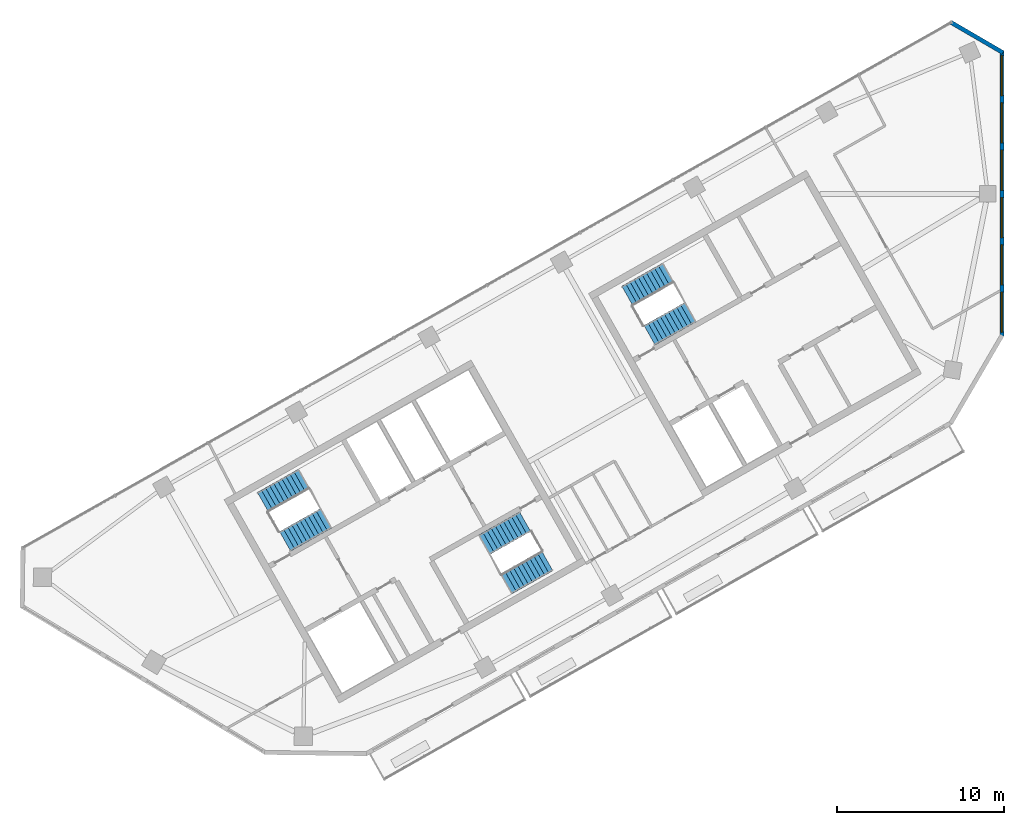
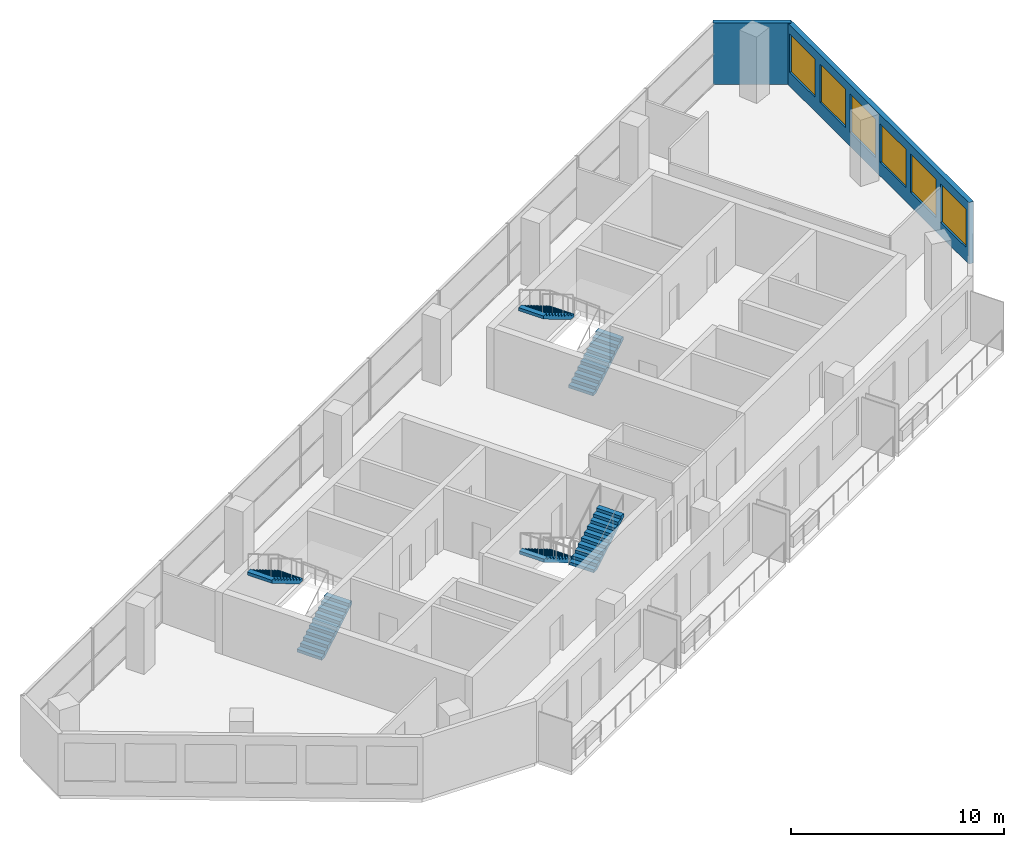
# One storey, part 8 of 10: 6 stair flights, 6 windows, 2 walls, 6 openings, 3 elements without a shape of their own.
"""IFC4 building model written with IfcOpenShell, lengths in metres."""

import ifcopenshell
import ifcopenshell.guid

model = None  # the IFC model being written
_history = None  # IfcOwnerHistory: only IFC2X3 demands one
_inside = {}  # id of a spatial element -> (the spatial element, [elements in it])
_under = {}  # id of a project, library or spatial element -> (it, [spatial elements below it])
_declared = {}  # id of a project -> (the project, [libraries it declares])
_typed = {}  # id of a type object -> (the type object, [elements of that type])
_made_of = {}  # id of a material, layer set ... -> (it, [elements and type objects made of it])


def new_model(schema):
    """Start an empty IFC model of exactly this schema.

    Asked for "IFC4X3", IfcOpenShell would pick the latest addendum, in which some entities
    have other attributes; the version numbers below select the first issue.
    IFC2X3 requires an IfcOwnerHistory on every rooted entity: one is made here for all.
    """
    global model, _history
    if schema == "IFC4X3":
        model = ifcopenshell.file(schema_version=(4, 3, 0, 0))
    else:
        model = ifcopenshell.file(schema=schema)
    _inside.clear()
    _under.clear()
    _declared.clear()
    _typed.clear()
    _made_of.clear()
    _history = None
    if model.schema == "IFC2X3":
        org = make("IfcOrganization", Name="unknown")
        user = make(
            "IfcPersonAndOrganization",
            ThePerson=make("IfcPerson", FamilyName="unknown"),
            TheOrganization=org,
        )
        app = make(
            "IfcApplication",
            ApplicationDeveloper=org,
            Version="unknown",
            ApplicationFullName="unknown",
            ApplicationIdentifier="unknown",
        )
        _history = make(
            "IfcOwnerHistory",
            OwningUser=user,
            OwningApplication=app,
            ChangeAction="ADDED",
            CreationDate=0,
        )
    return model


def make(cls, **values):
    """One entity of the class cls with the attributes given. An attribute that is None is left unset."""
    return model.create_entity(
        cls, **{name: value for name, value in values.items() if value is not None}
    )


def rooted(cls, **values):
    """An entity with a GlobalId (a new one), such as an element, a storey or a relation."""
    return make(cls, GlobalId=ifcopenshell.guid.new(), OwnerHistory=_history, **values)


def si_unit(unit_type, name, prefix=None):
    """IfcSIUnit, for example si_unit("LENGTHUNIT", "METRE", prefix="MILLI")."""
    return make("IfcSIUnit", UnitType=unit_type, Prefix=prefix, Name=name)


def assignment(units):
    """IfcUnitAssignment: the units of a project."""
    return None if units is None else make("IfcUnitAssignment", Units=units)


def point(xyz):
    """IfcCartesianPoint."""
    return None if xyz is None else make("IfcCartesianPoint", Coordinates=xyz)


def direction(xyz):
    """IfcDirection."""
    return None if xyz is None else make("IfcDirection", DirectionRatios=xyz)


def frame(location, z_axis=None, x_axis=None):
    """IfcAxis2Placement3D, a coordinate frame: its origin and axes. An axis left out is left unset."""
    return make(
        "IfcAxis2Placement3D",
        Location=point(location),
        Axis=direction(z_axis),
        RefDirection=direction(x_axis),
    )


def frame_2d(location, x_axis=None):
    """IfcAxis2Placement2D, a coordinate frame in the plane: its origin and x axis."""
    return make(
        "IfcAxis2Placement2D", Location=point(location), RefDirection=direction(x_axis)
    )


def origin():
    """The frame at (0, 0, 0) with its axes left unset."""
    return frame((0.0, 0.0, 0.0))


def place(relative_to, where):
    """IfcLocalPlacement: puts the frame where relative to a parent placement (None: the world)."""
    return make(
        "IfcLocalPlacement", PlacementRelTo=relative_to, RelativePlacement=where
    )


def context(
    kind, dimensions, precision=None, world=None, true_north=None, identifier=None
):
    """IfcGeometricRepresentationContext, for example the 3D "Model" context."""
    return make(
        "IfcGeometricRepresentationContext",
        ContextIdentifier=identifier,
        ContextType=kind,
        CoordinateSpaceDimension=dimensions,
        Precision=precision,
        WorldCoordinateSystem=world,
        TrueNorth=true_north,
    )


def subcontext(parent, identifier, kind, view, scale=None):
    """IfcGeometricRepresentationSubContext, for example "Body" below "Model"."""
    return make(
        "IfcGeometricRepresentationSubContext",
        ContextIdentifier=identifier,
        ContextType=kind,
        ParentContext=parent,
        TargetScale=scale,
        TargetView=view,
    )


def project(units=None, contexts=None):
    """IfcProject with its units and contexts."""
    return rooted(
        "IfcProject",
        Name="project",
        RepresentationContexts=contexts,
        UnitsInContext=assignment(units),
    )


def spatial(cls, under=None, at=None, **own):
    """A site, building, storey or space (cls), placed at a placement, below another one or the project."""
    s = rooted(cls, ObjectPlacement=at, **own)
    if under is not None:
        _under.setdefault(under.id(), (under, []))[1].append(s)
    return s


def polyline(points):
    """IfcPolyline through the points."""
    return make("IfcPolyline", Points=[point(p) for p in points])


def profile(cls, at=None, kind="AREA", **sizes):
    """A parametric profile (cls). Its sizes go by their IFC names, for example OverallWidth=200.0."""
    return make(cls, ProfileType=kind, Position=at, **sizes)


def rectangle(**sizes):
    """IfcRectangleProfileDef."""
    return profile("IfcRectangleProfileDef", **sizes)


def outline(outer, holes=None, kind="AREA"):
    """IfcArbitraryClosedProfileDef: a profile drawn as a closed curve; with holes, ...WithVoids."""
    if holes is None:
        return make("IfcArbitraryClosedProfileDef", ProfileType=kind, OuterCurve=outer)
    return make(
        "IfcArbitraryProfileDefWithVoids",
        ProfileType=kind,
        OuterCurve=outer,
        InnerCurves=holes,
    )


def extrude(swept, where, along, depth):
    """IfcExtrudedAreaSolid: the profile swept, set in the frame where, extruded along a direction by depth."""
    return make(
        "IfcExtrudedAreaSolid",
        SweptArea=swept,
        Position=where,
        ExtrudedDirection=direction(along),
        Depth=depth,
    )


def shape(context_of_items, identifier, shape_type, items):
    """IfcShapeRepresentation: the items that make up one representation, for example the "Body"."""
    return make(
        "IfcShapeRepresentation",
        ContextOfItems=context_of_items,
        RepresentationIdentifier=identifier,
        RepresentationType=shape_type,
        Items=items,
    )


def material(Name=None, Category=None):
    """IfcMaterial."""
    return make("IfcMaterial", Name=Name, Category=Category)


def layer(
    of_material, thickness, ventilated=None, Name=None, Category=None, Priority=None
):
    """IfcMaterialLayer: one layer of a wall or slab, of a material (None: an air gap)."""
    return make(
        "IfcMaterialLayer",
        Material=of_material,
        LayerThickness=thickness,
        IsVentilated=ventilated,
        Name=Name,
        Category=Category,
        Priority=Priority,
    )


def layer_set(layers, Name=None):
    """IfcMaterialLayerSet."""
    return make("IfcMaterialLayerSet", MaterialLayers=layers, LayerSetName=Name)


def made_of(thing, what):
    """Note that an element or type object is made of a material, layer set ...; save() writes the relation."""
    if what is not None:
        _made_of.setdefault(what.id(), (what, []))[1].append(thing)
    return thing


def type_object(cls, material=None, **own):
    """A type object (cls), such as IfcWallType, which elements share."""
    return made_of(rooted(cls, **own), material)


def element(
    cls,
    number,
    at=None,
    inside=None,
    cuts=None,
    type_object=None,
    material=None,
    context=None,
    identifier="Body",
    shape_type=None,
    held_by="IfcProductDefinitionShape",
    body=None,
    shapes=None,
    **own,
):
    """One element of the class cls, such as IfcWall. Its Tag is "e" and its number.

    at: its placement. inside: the storey or other place that contains it. cuts: it is an
    opening in that element (IfcRelVoidsElement). A single representation is given by context,
    identifier, shape_type and body (its items); several are given by shapes. held_by: the class
    of the entity that holds the representations. save() writes the other relations.
    """
    e = rooted(cls, Tag="e%d" % number, ObjectPlacement=at, **own)
    if body is not None:
        shapes = [shape(context, identifier, shape_type, body)]
    if shapes is not None:
        e.Representation = make(held_by, Representations=shapes)
    if inside is not None:
        _inside.setdefault(inside.id(), (inside, []))[1].append(e)
    if cuts is not None:
        rooted(
            "IfcRelVoidsElement", RelatingBuildingElement=cuts, RelatedOpeningElement=e
        )
    if type_object is not None:
        _typed.setdefault(type_object.id(), (type_object, []))[1].append(e)
    return made_of(e, material)


def fill(opening, filler):
    """IfcRelFillsElement: the door or window that sits in an opening."""
    return rooted(
        "IfcRelFillsElement",
        RelatingOpeningElement=opening,
        RelatedBuildingElement=filler,
    )


def aggregate(whole, parts):
    """IfcRelAggregates: a whole, such as a stair, and the parts it consists of."""
    return rooted("IfcRelAggregates", RelatingObject=whole, RelatedObjects=parts)


def save(model, path):
    """Write the relations noted so far, then the file.

    IfcRelAggregates (storeys below a building ...), IfcRelContainedInSpatialStructure (elements
    in a storey), IfcRelDefinesByType, IfcRelAssociatesMaterial and IfcRelDeclares: one each for
    every whole, place, type object, material and project.
    """
    for whole, parts in _under.values():
        aggregate(whole, parts)
    for where, things in _inside.values():
        rooted(
            "IfcRelContainedInSpatialStructure",
            RelatedElements=things,
            RelatingStructure=where,
        )
    for kind, things in _typed.values():
        rooted("IfcRelDefinesByType", RelatedObjects=things, RelatingType=kind)
    for what, things in _made_of.values():
        rooted("IfcRelAssociatesMaterial", RelatedObjects=things, RelatingMaterial=what)
    for by, libraries in _declared.values():
        rooted("IfcRelDeclares", RelatingContext=by, RelatedDefinitions=libraries)
    model.write(path)


model = new_model("IFC4")

# Units and contexts
model_context = context("Model", 3, precision=1e-05, world=origin(), true_north=direction((0.0, 1.0)))
body_context = subcontext(model_context, "Body", "Model", "MODEL_VIEW")
ifc_project = project(units=[si_unit("LENGTHUNIT", "METRE"), si_unit("AREAUNIT", "SQUARE_METRE"), si_unit("VOLUMEUNIT", "CUBIC_METRE"), si_unit("PLANEANGLEUNIT", "RADIAN"), si_unit("MASSUNIT", "GRAM", prefix="KILO")], contexts=[model_context])

# Site, building, storey
site_placement = place(None, origin())
site = spatial("IfcSite", under=ifc_project, at=site_placement, CompositionType="ELEMENT")
building_placement = place(site_placement, origin())
building = spatial("IfcBuilding", under=site, at=building_placement, Name="Binnacle Exchange Tower", CompositionType="ELEMENT")
storey_placement = place(building_placement, frame((0.0, 0.0, 320.300048828125)))
storey = spatial("IfcBuildingStorey", under=building, at=storey_placement, Name="L72", CompositionType="ELEMENT", Elevation=320.300048828125)

# Wall, openings, windows
ifc_material_1 = material(Name="Bronze aluminium cladding", Category="aluminium")
ifc_layer = layer(ifc_material_1, 0.25)
ifc_layer_set = layer_set([ifc_layer], Name="External wall - window wall 250")
wall_type = type_object("IfcWallType", Name="External wall - window wall 250", PredefinedType="STANDARD", material=ifc_layer_set)
wall_1_placement = place(storey_placement, frame((0.0, 68.57177734375, 0.0), z_axis=(0.0, 0.0, 1.0), x_axis=(0.0, -1.0, 0.0)))
wall_1 = element("IfcWall", 1, at=wall_1_placement, inside=storey, type_object=wall_type, Name="External wall EW-H01 L72", PredefinedType="STANDARD", context=body_context, shape_type="SweptSolid", body=[
    extrude(rectangle(XDim=17.10546875, YDim=0.25, at=frame_2d((8.552734375, 0.0))), origin(), (0.0, 0.0, 1.0), 3.52001953125),
])
opening_1_placement = place(wall_1_placement, frame((14.455078125, 0.0, 0.800048828125)))
opening_1 = element("IfcOpeningElement", 2, at=opening_1_placement, cuts=wall_1, Name="Opening WR2", PredefinedType="OPENING", context=body_context, shape_type="SweptSolid", body=[
    extrude(rectangle(XDim=2.39990234375, YDim=2.199951171875, at=frame_2d((1.199951171875, 1.10009765625))), frame((0.0, 0.135009765625, 0.0), z_axis=(0.0, -1.0, 0.0), x_axis=(1.0, 0.0, 0.0)), (0.0, 0.0, 1.0), 0.27001953125),
])
opening_2_placement = place(wall_1_placement, frame((11.621826171875, 0.0, 0.800048828125)))
opening_2 = element("IfcOpeningElement", 3, at=opening_2_placement, cuts=wall_1, Name="Opening WR2", PredefinedType="OPENING", context=body_context, shape_type="SweptSolid", body=[
    extrude(rectangle(XDim=2.39990234375, YDim=2.199951171875, at=frame_2d((1.199951171875, 1.10009765625))), frame((0.0, 0.135009765625, 0.0), z_axis=(0.0, -1.0, 0.0), x_axis=(1.0, 0.0, 0.0)), (0.0, 0.0, 1.0), 0.27001953125),
])
opening_3_placement = place(wall_1_placement, frame((8.78857421875, 0.0, 0.800048828125)))
opening_3 = element("IfcOpeningElement", 4, at=opening_3_placement, cuts=wall_1, Name="Opening WR2", PredefinedType="OPENING", context=body_context, shape_type="SweptSolid", body=[
    extrude(rectangle(XDim=2.39990234375, YDim=2.199951171875, at=frame_2d((1.199951171875, 1.10009765625))), frame((0.0, 0.135009765625, 0.0), z_axis=(0.0, -1.0, 0.0), x_axis=(1.0, 0.0, 0.0)), (0.0, 0.0, 1.0), 0.27001953125),
])
opening_4_placement = place(wall_1_placement, frame((5.955078125, 0.0, 0.800048828125)))
opening_4 = element("IfcOpeningElement", 5, at=opening_4_placement, cuts=wall_1, Name="Opening WR2", PredefinedType="OPENING", context=body_context, shape_type="SweptSolid", body=[
    extrude(rectangle(XDim=2.39990234375, YDim=2.199951171875, at=frame_2d((1.199951171875, 1.10009765625))), frame((0.0, 0.135009765625, 0.0), z_axis=(0.0, -1.0, 0.0), x_axis=(1.0, 0.0, 0.0)), (0.0, 0.0, 1.0), 0.27001953125),
])
opening_5_placement = place(wall_1_placement, frame((3.121826171875, 0.0, 0.800048828125)))
opening_5 = element("IfcOpeningElement", 6, at=opening_5_placement, cuts=wall_1, Name="Opening WR2", PredefinedType="OPENING", context=body_context, shape_type="SweptSolid", body=[
    extrude(rectangle(XDim=2.39990234375, YDim=2.199951171875, at=frame_2d((1.199951171875, 1.10009765625))), frame((0.0, 0.135009765625, 0.0), z_axis=(0.0, -1.0, 0.0), x_axis=(1.0, 0.0, 0.0)), (0.0, 0.0, 1.0), 0.27001953125),
])
opening_6_placement = place(wall_1_placement, frame((0.28857421875, 0.0, 0.800048828125)))
opening_6 = element("IfcOpeningElement", 7, at=opening_6_placement, cuts=wall_1, Name="Opening WR2", PredefinedType="OPENING", context=body_context, shape_type="SweptSolid", body=[
    extrude(rectangle(XDim=2.39990234375, YDim=2.199951171875, at=frame_2d((1.199951171875, 1.10009765625))), frame((0.0, 0.135009765625, 0.0), z_axis=(0.0, -1.0, 0.0), x_axis=(1.0, 0.0, 0.0)), (0.0, 0.0, 1.0), 0.27001953125),
])
ifc_material_2 = material(Name="Bronze anodised aluminium frame", Category="aluminium")
window_type = type_object("IfcWindowType", Name="WR2 WINDOW 2400x2200", PartitioningType="SINGLE_PANEL", PredefinedType="WINDOW", material=ifc_material_2)
window_1_placement = place(opening_1_placement, origin())
window_1 = element("IfcWindow", 8, at=window_1_placement, inside=storey, type_object=window_type, Name="Window WR2 L72", OverallHeight=2.199951171875, OverallWidth=2.39990234375, PartitioningType="SINGLE_PANEL", PredefinedType="WINDOW", context=body_context, shape_type="SweptSolid", body=[
    extrude(rectangle(XDim=2.39990234375, YDim=2.199951171875, at=frame_2d((1.199951171875, 1.10009765625))), frame((0.0, 0.030029296875, 0.0), z_axis=(0.0, -1.0, 0.0), x_axis=(1.0, 0.0, 0.0)), (0.0, 0.0, 1.0), 0.06005859375),
])
fill(opening_1, window_1)
window_2_placement = place(opening_2_placement, origin())
window_2 = element("IfcWindow", 9, at=window_2_placement, inside=storey, type_object=window_type, Name="Window WR2 L72", OverallHeight=2.199951171875, OverallWidth=2.39990234375, PartitioningType="SINGLE_PANEL", PredefinedType="WINDOW", context=body_context, shape_type="SweptSolid", body=[
    extrude(rectangle(XDim=2.39990234375, YDim=2.199951171875, at=frame_2d((1.199951171875, 1.10009765625))), frame((0.0, 0.030029296875, 0.0), z_axis=(0.0, -1.0, 0.0), x_axis=(1.0, 0.0, 0.0)), (0.0, 0.0, 1.0), 0.06005859375),
])
fill(opening_2, window_2)
window_3_placement = place(opening_3_placement, origin())
window_3 = element("IfcWindow", 10, at=window_3_placement, inside=storey, type_object=window_type, Name="Window WR2 L72", OverallHeight=2.199951171875, OverallWidth=2.39990234375, PartitioningType="SINGLE_PANEL", PredefinedType="WINDOW", context=body_context, shape_type="SweptSolid", body=[
    extrude(rectangle(XDim=2.39990234375, YDim=2.199951171875, at=frame_2d((1.199951171875, 1.10009765625))), frame((0.0, 0.030029296875, 0.0), z_axis=(0.0, -1.0, 0.0), x_axis=(1.0, 0.0, 0.0)), (0.0, 0.0, 1.0), 0.06005859375),
])
fill(opening_3, window_3)
window_4_placement = place(opening_4_placement, origin())
window_4 = element("IfcWindow", 11, at=window_4_placement, inside=storey, type_object=window_type, Name="Window WR2 L72", OverallHeight=2.199951171875, OverallWidth=2.39990234375, PartitioningType="SINGLE_PANEL", PredefinedType="WINDOW", context=body_context, shape_type="SweptSolid", body=[
    extrude(rectangle(XDim=2.39990234375, YDim=2.199951171875, at=frame_2d((1.199951171875, 1.10009765625))), frame((0.0, 0.030029296875, 0.0), z_axis=(0.0, -1.0, 0.0), x_axis=(1.0, 0.0, 0.0)), (0.0, 0.0, 1.0), 0.06005859375),
])
fill(opening_4, window_4)
window_5_placement = place(opening_5_placement, origin())
window_5 = element("IfcWindow", 12, at=window_5_placement, inside=storey, type_object=window_type, Name="Window WR2 L72", OverallHeight=2.199951171875, OverallWidth=2.39990234375, PartitioningType="SINGLE_PANEL", PredefinedType="WINDOW", context=body_context, shape_type="SweptSolid", body=[
    extrude(rectangle(XDim=2.39990234375, YDim=2.199951171875, at=frame_2d((1.199951171875, 1.10009765625))), frame((0.0, 0.030029296875, 0.0), z_axis=(0.0, -1.0, 0.0), x_axis=(1.0, 0.0, 0.0)), (0.0, 0.0, 1.0), 0.06005859375),
])
fill(opening_5, window_5)
window_6_placement = place(opening_6_placement, origin())
window_6 = element("IfcWindow", 13, at=window_6_placement, inside=storey, type_object=window_type, Name="Window WR2 L72", OverallHeight=2.199951171875, OverallWidth=2.39990234375, PartitioningType="SINGLE_PANEL", PredefinedType="WINDOW", context=body_context, shape_type="SweptSolid", body=[
    extrude(rectangle(XDim=2.39990234375, YDim=2.199951171875, at=frame_2d((1.199951171875, 1.10009765625))), frame((0.0, 0.030029296875, 0.0), z_axis=(0.0, -1.0, 0.0), x_axis=(1.0, 0.0, 0.0)), (0.0, 0.0, 1.0), 0.06005859375),
])
fill(opening_6, window_6)

# Wall
wall_2_placement = place(storey_placement, frame((-3.108154296875, 70.312744140625, 0.0), z_axis=(0.0, 0.0, 1.0), x_axis=(0.86382474085, -0.503792434536, 0.0)))
element("IfcWall", 14, at=wall_2_placement, inside=storey, type_object=wall_type, Name="External wall EW-H02 L72", PredefinedType="STANDARD", context=body_context, shape_type="SweptSolid", body=[
    extrude(rectangle(XDim=3.669921875, YDim=0.25, at=frame_2d((1.8349609375, 0.0))), origin(), (0.0, 0.0, 1.0), 3.52001953125),
])

# Stair, stair flights
ifc_material_3 = material(Name="Concrete C35/45", Category="concrete")
stair_type = type_object("IfcStairType", Name="STAIR 22 RISERS 173", PredefinedType="HALF_TURN_STAIR", material=ifc_material_3)
stair_1_placement = place(storey_placement, origin())
stair_1 = element("IfcStair", 15, at=stair_1_placement, inside=storey, type_object=stair_type, Name="L72 Escape stair A1", PredefinedType="HALF_TURN_STAIR")
stair_flight_type = type_object("IfcStairFlightType", Name="STAIR FLIGHT 173X280", PredefinedType="STRAIGHT", material=ifc_material_3)
stair_flight_1_placement = place(storey_placement, frame((-42.9541015625, 39.17333984375, 0.0), z_axis=(0.0, 0.0, 1.0), x_axis=(0.870355584213, 0.492423757581, 0.0)))
stair_flight_1 = element("IfcStairFlight", 16, at=stair_flight_1_placement, type_object=stair_flight_type, Name="STA1 flight 1", NumberOfRisers=11, NumberOfTreads=10, PredefinedType="STRAIGHT", RiserHeight=0.172727273, TreadLength=0.28, context=body_context, shape_type="SweptSolid", body=[
    extrude(outline(polyline([(0.0, 0.0), (0.0, 0.172607421875), (0.280029296875, 0.172607421875), (0.280029296875, 0.345458984375), (0.56005859375, 0.345458984375), (0.56005859375, 0.51806640625), (0.840087890625, 0.51806640625), (0.840087890625, 0.69091796875), (1.1201171875, 0.69091796875), (1.1201171875, 0.863525390625), (1.39990234375, 0.863525390625), (1.39990234375, 1.036376953125), (1.679931640625, 1.036376953125), (1.679931640625, 1.208984375), (1.9599609375, 1.208984375), (1.9599609375, 1.3818359375), (2.239990234375, 1.3818359375), (2.239990234375, 1.554443359375), (2.52001953125, 1.554443359375), (2.52001953125, 1.727294921875), (2.800048828125, 1.727294921875), (2.800048828125, 1.89990234375), (2.800048828125, 1.551025390625), (0.285400390625, 0.0), (0.0, 0.0)])), frame((0.0, 0.675048828125, 0.0), z_axis=(0.0, -1.0, 0.0), x_axis=(1.0, 0.0, 0.0)), (0.0, 0.0, 1.0), 1.35009765625),
])
stair_flight_2_placement = place(storey_placement, frame((-41.846435546875, 42.902099609375, 1.89990234375), z_axis=(0.0, 0.0, 1.0), x_axis=(-0.870355584213, -0.492423757581, 0.0)))
stair_flight_2 = element("IfcStairFlight", 17, at=stair_flight_2_placement, type_object=stair_flight_type, Name="STA1 flight 2", NumberOfRisers=11, NumberOfTreads=10, PredefinedType="STRAIGHT", RiserHeight=0.172727273, TreadLength=0.28, context=body_context, shape_type="SweptSolid", body=[
    extrude(outline(polyline([(0.0, 0.0), (0.0, 0.172607421875), (0.280029296875, 0.172607421875), (0.280029296875, 0.345458984375), (0.56005859375, 0.345458984375), (0.56005859375, 0.51806640625), (0.840087890625, 0.51806640625), (0.840087890625, 0.69091796875), (1.1201171875, 0.69091796875), (1.1201171875, 0.863525390625), (1.39990234375, 0.863525390625), (1.39990234375, 1.036376953125), (1.679931640625, 1.036376953125), (1.679931640625, 1.208984375), (1.9599609375, 1.208984375), (1.9599609375, 1.3818359375), (2.239990234375, 1.3818359375), (2.239990234375, 1.554443359375), (2.52001953125, 1.554443359375), (2.52001953125, 1.727294921875), (2.800048828125, 1.727294921875), (2.800048828125, 1.89990234375), (2.800048828125, 1.551025390625), (0.285400390625, 0.0), (0.0, 0.0)])), frame((0.0, 0.675048828125, 0.0), z_axis=(0.0, -1.0, 0.0), x_axis=(1.0, 0.0, 0.0)), (0.0, 0.0, 1.0), 1.35009765625),
])
aggregate(stair_1, [stair_flight_1, stair_flight_2])

stair_2_placement = place(storey_placement, origin())
stair_2 = element("IfcStair", 18, at=stair_2_placement, inside=storey, type_object=stair_type, Name="L72 Escape stair A2", PredefinedType="HALF_TURN_STAIR")
stair_flight_3_placement = place(storey_placement, frame((-28.5732421875, 40.3583984375, 0.0), z_axis=(0.0, 0.0, 1.0), x_axis=(-0.870355584213, -0.492423757581, 0.0)))
stair_flight_3 = element("IfcStairFlight", 19, at=stair_flight_3_placement, type_object=stair_flight_type, Name="STA2 flight 1", NumberOfRisers=11, NumberOfTreads=10, PredefinedType="STRAIGHT", RiserHeight=0.172727273, TreadLength=0.28, context=body_context, shape_type="SweptSolid", body=[
    extrude(outline(polyline([(0.0, 0.0), (0.0, 0.172607421875), (0.280029296875, 0.172607421875), (0.280029296875, 0.345458984375), (0.56005859375, 0.345458984375), (0.56005859375, 0.51806640625), (0.840087890625, 0.51806640625), (0.840087890625, 0.69091796875), (1.1201171875, 0.69091796875), (1.1201171875, 0.863525390625), (1.39990234375, 0.863525390625), (1.39990234375, 1.036376953125), (1.679931640625, 1.036376953125), (1.679931640625, 1.208984375), (1.9599609375, 1.208984375), (1.9599609375, 1.3818359375), (2.239990234375, 1.3818359375), (2.239990234375, 1.554443359375), (2.52001953125, 1.554443359375), (2.52001953125, 1.727294921875), (2.800048828125, 1.727294921875), (2.800048828125, 1.89990234375), (2.800048828125, 1.551025390625), (0.285400390625, 0.0), (0.0, 0.0)])), frame((0.0, 0.675048828125, 0.0), z_axis=(0.0, -1.0, 0.0), x_axis=(1.0, 0.0, 0.0)), (0.0, 0.0, 1.0), 1.35009765625),
])
stair_flight_4_placement = place(storey_placement, frame((-29.6806640625, 36.629638671875, 1.89990234375), z_axis=(0.0, 0.0, 1.0), x_axis=(0.870355584213, 0.492423757581, 0.0)))
stair_flight_4 = element("IfcStairFlight", 20, at=stair_flight_4_placement, type_object=stair_flight_type, Name="STA2 flight 2", NumberOfRisers=11, NumberOfTreads=10, PredefinedType="STRAIGHT", RiserHeight=0.172727273, TreadLength=0.28, context=body_context, shape_type="SweptSolid", body=[
    extrude(outline(polyline([(0.0, 0.0), (0.0, 0.172607421875), (0.280029296875, 0.172607421875), (0.280029296875, 0.345458984375), (0.56005859375, 0.345458984375), (0.56005859375, 0.51806640625), (0.840087890625, 0.51806640625), (0.840087890625, 0.69091796875), (1.1201171875, 0.69091796875), (1.1201171875, 0.863525390625), (1.39990234375, 0.863525390625), (1.39990234375, 1.036376953125), (1.679931640625, 1.036376953125), (1.679931640625, 1.208984375), (1.9599609375, 1.208984375), (1.9599609375, 1.3818359375), (2.239990234375, 1.3818359375), (2.239990234375, 1.554443359375), (2.52001953125, 1.554443359375), (2.52001953125, 1.727294921875), (2.800048828125, 1.727294921875), (2.800048828125, 1.89990234375), (2.800048828125, 1.551025390625), (0.285400390625, 0.0), (0.0, 0.0)])), frame((0.0, 0.675048828125, 0.0), z_axis=(0.0, -1.0, 0.0), x_axis=(1.0, 0.0, 0.0)), (0.0, 0.0, 1.0), 1.35009765625),
])
aggregate(stair_2, [stair_flight_3, stair_flight_4])

stair_3_placement = place(storey_placement, origin())
stair_3 = element("IfcStair", 21, at=stair_3_placement, inside=storey, type_object=stair_type, Name="L72 Escape stair C1", PredefinedType="HALF_TURN_STAIR")
stair_flight_5_placement = place(storey_placement, frame((-21.115966796875, 51.528564453125, 0.0), z_axis=(0.0, 0.0, 1.0), x_axis=(0.870355584213, 0.492423757581, 0.0)))
stair_flight_5 = element("IfcStairFlight", 22, at=stair_flight_5_placement, type_object=stair_flight_type, Name="STC1 flight 1", NumberOfRisers=11, NumberOfTreads=10, PredefinedType="STRAIGHT", RiserHeight=0.172727273, TreadLength=0.28, context=body_context, shape_type="SweptSolid", body=[
    extrude(outline(polyline([(0.0, 0.0), (0.0, 0.172607421875), (0.280029296875, 0.172607421875), (0.280029296875, 0.345458984375), (0.56005859375, 0.345458984375), (0.56005859375, 0.51806640625), (0.840087890625, 0.51806640625), (0.840087890625, 0.69091796875), (1.1201171875, 0.69091796875), (1.1201171875, 0.863525390625), (1.39990234375, 0.863525390625), (1.39990234375, 1.036376953125), (1.679931640625, 1.036376953125), (1.679931640625, 1.208984375), (1.9599609375, 1.208984375), (1.9599609375, 1.3818359375), (2.239990234375, 1.3818359375), (2.239990234375, 1.554443359375), (2.52001953125, 1.554443359375), (2.52001953125, 1.727294921875), (2.800048828125, 1.727294921875), (2.800048828125, 1.89990234375), (2.800048828125, 1.551025390625), (0.285400390625, 0.0), (0.0, 0.0)])), frame((0.0, 0.675048828125, 0.0), z_axis=(0.0, -1.0, 0.0), x_axis=(1.0, 0.0, 0.0)), (0.0, 0.0, 1.0), 1.35009765625),
])
stair_flight_6_placement = place(storey_placement, frame((-20.008544921875, 55.25732421875, 1.89990234375), z_axis=(0.0, 0.0, 1.0), x_axis=(-0.870355584213, -0.492423757581, 0.0)))
stair_flight_6 = element("IfcStairFlight", 23, at=stair_flight_6_placement, type_object=stair_flight_type, Name="STC1 flight 2", NumberOfRisers=11, NumberOfTreads=10, PredefinedType="STRAIGHT", RiserHeight=0.172727273, TreadLength=0.28, context=body_context, shape_type="SweptSolid", body=[
    extrude(outline(polyline([(0.0, 0.0), (0.0, 0.172607421875), (0.280029296875, 0.172607421875), (0.280029296875, 0.345458984375), (0.56005859375, 0.345458984375), (0.56005859375, 0.51806640625), (0.840087890625, 0.51806640625), (0.840087890625, 0.69091796875), (1.1201171875, 0.69091796875), (1.1201171875, 0.863525390625), (1.39990234375, 0.863525390625), (1.39990234375, 1.036376953125), (1.679931640625, 1.036376953125), (1.679931640625, 1.208984375), (1.9599609375, 1.208984375), (1.9599609375, 1.3818359375), (2.239990234375, 1.3818359375), (2.239990234375, 1.554443359375), (2.52001953125, 1.554443359375), (2.52001953125, 1.727294921875), (2.800048828125, 1.727294921875), (2.800048828125, 1.89990234375), (2.800048828125, 1.551025390625), (0.285400390625, 0.0), (0.0, 0.0)])), frame((0.0, 0.675048828125, 0.0), z_axis=(0.0, -1.0, 0.0), x_axis=(1.0, 0.0, 0.0)), (0.0, 0.0, 1.0), 1.35009765625),
])
aggregate(stair_3, [stair_flight_5, stair_flight_6])

save(model, "model.ifc")
